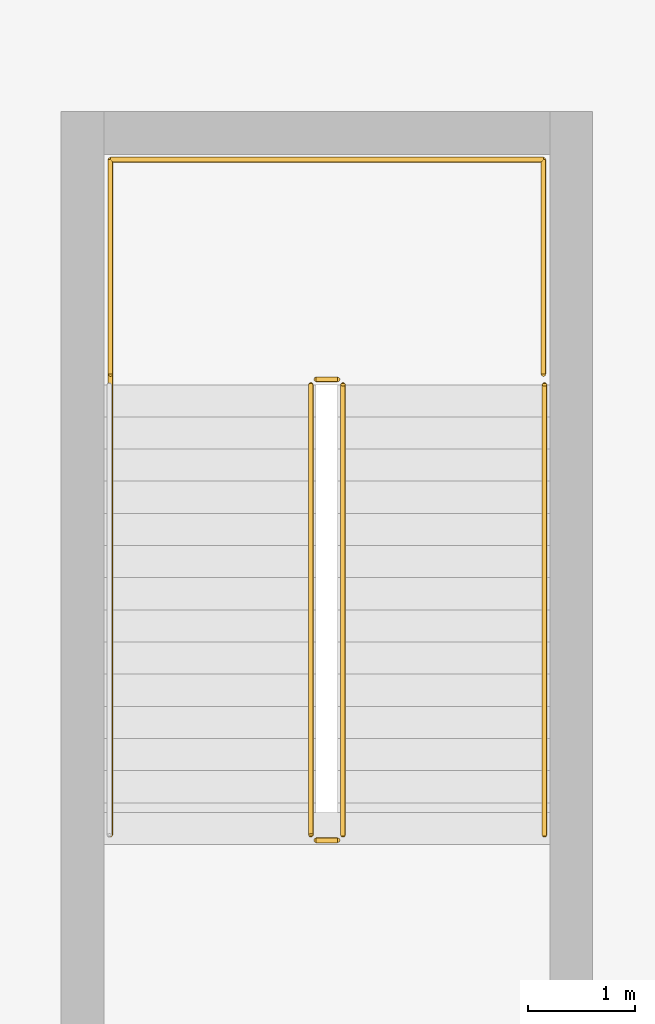
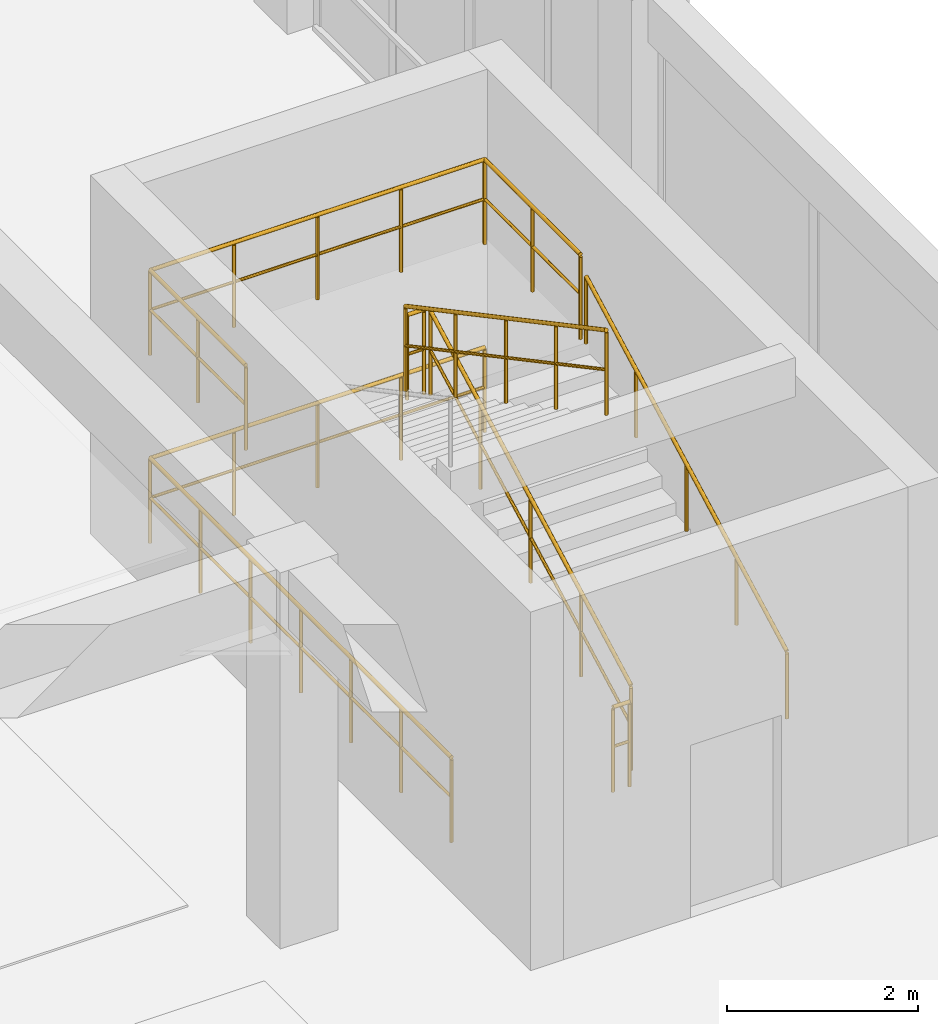
# One storey, part 47 of 51: 7 railings.
"""IFC4 building model written with IfcOpenShell, lengths in metres."""

from ifc_helpers import new_model, si_unit, direction, frame, origin, origin_2d, place, context, subcontext, project, spatial, circle, extrude, material, type_object, element, save


model = new_model("IFC4")

# Units and contexts
model_context = context("Model", 3, precision=1e-05, world=origin(), true_north=direction((0.0, 1.0)))
body_context = subcontext(model_context, "Body", "Model", "MODEL_VIEW")
ifc_project = project(units=[si_unit("LENGTHUNIT", "METRE"), si_unit("AREAUNIT", "SQUARE_METRE"), si_unit("VOLUMEUNIT", "CUBIC_METRE"), si_unit("PLANEANGLEUNIT", "RADIAN"), si_unit("MASSUNIT", "GRAM", prefix="KILO")], contexts=[model_context])

# Site, building, storey
site_placement = place(None, origin())
site = spatial("IfcSite", under=ifc_project, at=site_placement, CompositionType="ELEMENT")
building_placement = place(site_placement, origin())
building = spatial("IfcBuilding", under=site, at=building_placement, Name="Kenerak Square Central Library", CompositionType="ELEMENT")
storey_placement = place(building_placement, frame((0.0, 0.0, 9.60009765625)))
storey = spatial("IfcBuildingStorey", under=building, at=storey_placement, Name="L02", CompositionType="ELEMENT", Elevation=9.60009765625)

# Railings
ifc_material = material(Name="Steel S355", Category="steel")
railing_type_1 = type_object("IfcRailingType", Name="Safety Guardrail GR-1100 S355", PredefinedType="GUARDRAIL", material=ifc_material)
railing_1_placement = place(storey_placement, frame((113.14990234375, 60.449951171875, 0.159912109375)))
element("IfcRailing", 1, at=railing_1_placement, inside=storey, type_object=railing_type_1, Name="L02 ST-09 stair guard 1", PredefinedType="GUARDRAIL", context=body_context, shape_type="SweptSolid", body=[
    extrude(circle(Radius=0.02392578125, at=origin_2d()), frame((0.0, 0.0, 1.076171875), z_axis=(0.0, 0.882351521365, 0.470590897432), x_axis=(-1.0, 0.0, 0.0)), (0.0, 0.0, 1.0), 4.760009765625),
    extrude(circle(Radius=0.01806640625, at=origin_2d()), frame((0.0, 0.0, 0.572021484375), z_axis=(0.0, 0.882351521365, 0.470590897432), x_axis=(-1.0, 0.0, 0.0)), (0.0, 0.0, 1.0), 4.760009765625),
    extrude(circle(Radius=0.02099609375, at=origin_2d()), origin(), (0.0, 0.0, 1.0), 1.052001953125),
    extrude(circle(Radius=0.02099609375, at=origin_2d()), frame((0.0, 1.050048828125, 0.56005859375)), (0.0, 0.0, 1.0), 1.052001953125),
    extrude(circle(Radius=0.02099609375, at=origin_2d()), frame((0.0, 2.10009765625, 1.1201171875)), (0.0, 0.0, 1.0), 1.052001953125),
    extrude(circle(Radius=0.02099609375, at=origin_2d()), frame((0.0, 3.14990234375, 1.679931640625)), (0.0, 0.0, 1.0), 1.052001953125),
    extrude(circle(Radius=0.02099609375, at=origin_2d()), frame((0.0, 4.199951171875, 2.239990234375)), (0.0, 0.0, 1.0), 1.052001953125),
])
railing_2_placement = place(storey_placement, frame((113.10009765625, 64.699951171875, 2.39990234375)))
element("IfcRailing", 2, at=railing_2_placement, inside=storey, type_object=railing_type_1, Name="L02 ST-09 stair guard 2", PredefinedType="GUARDRAIL", context=body_context, shape_type="SweptSolid", body=[
    extrude(circle(Radius=0.02392578125, at=origin_2d()), frame((0.0, 0.0, 1.076171875), z_axis=(-1.0, 0.0, 0.0), x_axis=(0.0, -1.0, 0.0)), (0.0, 0.0, 1.0), 0.2001953125),
    extrude(circle(Radius=0.01806640625, at=origin_2d()), frame((0.0, 0.0, 0.572021484375), z_axis=(-1.0, 0.0, 0.0), x_axis=(0.0, -1.0, 0.0)), (0.0, 0.0, 1.0), 0.2001953125),
    extrude(circle(Radius=0.02099609375, at=origin_2d()), origin(), (0.0, 0.0, 1.0), 1.052001953125),
    extrude(circle(Radius=0.02099609375, at=origin_2d()), frame((-0.2001953125, 0.0, 0.0)), (0.0, 0.0, 1.0), 1.052001953125),
])
railing_3_placement = place(storey_placement, frame((112.85009765625, 64.64990234375, 2.559814453125)))
element("IfcRailing", 3, at=railing_3_placement, inside=storey, type_object=railing_type_1, Name="L02 ST-09 stair guard 3", PredefinedType="GUARDRAIL", context=body_context, shape_type="SweptSolid", body=[
    extrude(circle(Radius=0.02392578125, at=origin_2d()), frame((0.0, 0.0, 1.076171875), z_axis=(0.0, -0.882351521365, 0.470590897432), x_axis=(1.0, 0.0, 0.0)), (0.0, 0.0, 1.0), 4.760009765625),
    extrude(circle(Radius=0.01806640625, at=origin_2d()), frame((0.0, 0.0, 0.572021484375), z_axis=(0.0, -0.882351521365, 0.470590897432), x_axis=(1.0, 0.0, 0.0)), (0.0, 0.0, 1.0), 4.760009765625),
    extrude(circle(Radius=0.02099609375, at=origin_2d()), origin(), (0.0, 0.0, 1.0), 1.052001953125),
    extrude(circle(Radius=0.02099609375, at=origin_2d()), frame((0.0, -1.050048828125, 0.56005859375)), (0.0, 0.0, 1.0), 1.052001953125),
    extrude(circle(Radius=0.02099609375, at=origin_2d()), frame((0.0, -2.10009765625, 1.1201171875)), (0.0, 0.0, 1.0), 1.052001953125),
    extrude(circle(Radius=0.02099609375, at=origin_2d()), frame((0.0, -3.14990234375, 1.679931640625)), (0.0, 0.0, 1.0), 1.052001953125),
    extrude(circle(Radius=0.02099609375, at=origin_2d()), frame((0.0, -4.199951171875, 2.239990234375)), (0.0, 0.0, 1.0), 1.052001953125),
])
railing_4_placement = place(storey_placement, frame((113.10009765625, 60.39990234375, 0.0)))
element("IfcRailing", 4, at=railing_4_placement, inside=storey, type_object=railing_type_1, Name="L02 ST-09 stair guard 4", PredefinedType="GUARDRAIL", context=body_context, shape_type="SweptSolid", body=[
    extrude(circle(Radius=0.02392578125, at=origin_2d()), frame((0.0, 0.0, 1.076171875), z_axis=(-1.0, 0.0, 0.0), x_axis=(0.0, -1.0, 0.0)), (0.0, 0.0, 1.0), 0.2001953125),
    extrude(circle(Radius=0.01806640625, at=origin_2d()), frame((0.0, 0.0, 0.572021484375), z_axis=(-1.0, 0.0, 0.0), x_axis=(0.0, -1.0, 0.0)), (0.0, 0.0, 1.0), 0.2001953125),
    extrude(circle(Radius=0.02099609375, at=origin_2d()), origin(), (0.0, 0.0, 1.0), 1.052001953125),
    extrude(circle(Radius=0.02099609375, at=origin_2d()), frame((-0.2001953125, 0.0, 0.0)), (0.0, 0.0, 1.0), 1.052001953125),
])
railing_5_placement = place(storey_placement, frame((110.97998046875, 64.75, 2.39990234375)))
element("IfcRailing", 5, at=railing_5_placement, inside=storey, type_object=railing_type_1, Name="Stair Half-Landing Guard ST-09 L02", PredefinedType="GUARDRAIL", context=body_context, shape_type="SweptSolid", body=[
    extrude(circle(Radius=0.02392578125, at=origin_2d()), frame((0.0, 0.0, 1.076171875), z_axis=(0.0, 1.0, 0.0), x_axis=(-1.0, 0.0, 0.0)), (0.0, 0.0, 1.0), 2.0),
    extrude(circle(Radius=0.01806640625, at=origin_2d()), frame((0.0, 0.0, 0.572021484375), z_axis=(0.0, 1.0, 0.0), x_axis=(-1.0, 0.0, 0.0)), (0.0, 0.0, 1.0), 2.0),
    extrude(circle(Radius=0.02392578125, at=origin_2d()), frame((0.0, 2.0, 1.076171875), z_axis=(1.0, 0.0, 0.0), x_axis=(0.0, 1.0, 0.0)), (0.0, 0.0, 1.0), 4.0400390625),
    extrude(circle(Radius=0.01806640625, at=origin_2d()), frame((0.0, 2.0, 0.572021484375), z_axis=(1.0, 0.0, 0.0), x_axis=(0.0, 1.0, 0.0)), (0.0, 0.0, 1.0), 4.0400390625),
    extrude(circle(Radius=0.02392578125, at=origin_2d()), frame((4.0400390625, 2.0, 1.076171875), z_axis=(0.0, -1.0, 0.0), x_axis=(1.0, 0.0, 0.0)), (0.0, 0.0, 1.0), 2.0),
    extrude(circle(Radius=0.01806640625, at=origin_2d()), frame((4.0400390625, 2.0, 0.572021484375), z_axis=(0.0, -1.0, 0.0), x_axis=(1.0, 0.0, 0.0)), (0.0, 0.0, 1.0), 2.0),
    extrude(circle(Radius=0.02099609375, at=origin_2d()), origin(), (0.0, 0.0, 1.0), 1.052001953125),
    extrude(circle(Radius=0.02099609375, at=origin_2d()), frame((0.0, 1.0, 0.0)), (0.0, 0.0, 1.0), 1.052001953125),
    extrude(circle(Radius=0.02099609375, at=origin_2d()), frame((0.0, 2.0, 0.0)), (0.0, 0.0, 1.0), 1.052001953125),
    extrude(circle(Radius=0.02099609375, at=origin_2d()), frame((1.010009765625, 2.0, 0.0)), (0.0, 0.0, 1.0), 1.052001953125),
    extrude(circle(Radius=0.02099609375, at=origin_2d()), frame((2.02001953125, 2.0, 0.0)), (0.0, 0.0, 1.0), 1.052001953125),
    extrude(circle(Radius=0.02099609375, at=origin_2d()), frame((3.030029296875, 2.0, 0.0)), (0.0, 0.0, 1.0), 1.052001953125),
    extrude(circle(Radius=0.02099609375, at=origin_2d()), frame((4.0400390625, 2.0, 0.0)), (0.0, 0.0, 1.0), 1.052001953125),
    extrude(circle(Radius=0.02099609375, at=origin_2d()), frame((4.0400390625, 1.0, 0.0)), (0.0, 0.0, 1.0), 1.052001953125),
    extrude(circle(Radius=0.02099609375, at=origin_2d()), frame((4.0400390625, 0.0, 0.0)), (0.0, 0.0, 1.0), 1.052001953125),
])
railing_6_placement = place(storey_placement, frame((110.97998046875, 60.449951171875, 0.0)))
element("IfcRailing", 6, at=railing_6_placement, inside=storey, type_object=railing_type_1, Name="Stair Well Floor Guard ST-09 L02", PredefinedType="GUARDRAIL", context=body_context, shape_type="SweptSolid", body=[
    extrude(circle(Radius=0.02392578125, at=origin_2d()), frame((0.0, 0.0, 1.076171875), z_axis=(0.0, 1.0, 0.0), x_axis=(-1.0, 0.0, 0.0)), (0.0, 0.0, 1.0), 6.300048828125),
    extrude(circle(Radius=0.01806640625, at=origin_2d()), frame((0.0, 0.0, 0.572021484375), z_axis=(0.0, 1.0, 0.0), x_axis=(-1.0, 0.0, 0.0)), (0.0, 0.0, 1.0), 6.300048828125),
    extrude(circle(Radius=0.02392578125, at=origin_2d()), frame((0.0, 6.300048828125, 1.076171875), z_axis=(1.0, 0.0, 0.0), x_axis=(0.0, 1.0, 0.0)), (0.0, 0.0, 1.0), 4.0400390625),
    extrude(circle(Radius=0.01806640625, at=origin_2d()), frame((0.0, 6.300048828125, 0.572021484375), z_axis=(1.0, 0.0, 0.0), x_axis=(0.0, 1.0, 0.0)), (0.0, 0.0, 1.0), 4.0400390625),
    extrude(circle(Radius=0.02099609375, at=origin_2d()), origin(), (0.0, 0.0, 1.0), 1.052001953125),
    extrude(circle(Radius=0.02099609375, at=origin_2d()), frame((0.0, 1.050048828125, 0.0)), (0.0, 0.0, 1.0), 1.052001953125),
    extrude(circle(Radius=0.02099609375, at=origin_2d()), frame((0.0, 2.10009765625, 0.0)), (0.0, 0.0, 1.0), 1.052001953125),
    extrude(circle(Radius=0.02099609375, at=origin_2d()), frame((0.0, 3.14990234375, 0.0)), (0.0, 0.0, 1.0), 1.052001953125),
    extrude(circle(Radius=0.02099609375, at=origin_2d()), frame((0.0, 4.199951171875, 0.0)), (0.0, 0.0, 1.0), 1.052001953125),
    extrude(circle(Radius=0.02099609375, at=origin_2d()), frame((0.0, 5.25, 0.0)), (0.0, 0.0, 1.0), 1.052001953125),
    extrude(circle(Radius=0.02099609375, at=origin_2d()), frame((0.0, 6.300048828125, 0.0)), (0.0, 0.0, 1.0), 1.052001953125),
    extrude(circle(Radius=0.02099609375, at=origin_2d()), frame((1.010009765625, 6.300048828125, 0.0)), (0.0, 0.0, 1.0), 1.052001953125),
    extrude(circle(Radius=0.02099609375, at=origin_2d()), frame((2.02001953125, 6.300048828125, 0.0)), (0.0, 0.0, 1.0), 1.052001953125),
    extrude(circle(Radius=0.02099609375, at=origin_2d()), frame((3.030029296875, 6.300048828125, 0.0)), (0.0, 0.0, 1.0), 1.052001953125),
    extrude(circle(Radius=0.02099609375, at=origin_2d()), frame((4.0400390625, 6.300048828125, 0.0)), (0.0, 0.0, 1.0), 1.052001953125),
])
railing_type_2 = type_object("IfcRailingType", Name="Stair Handrail HR-880 S355", PredefinedType="HANDRAIL", material=ifc_material)
railing_7_placement = place(storey_placement, frame((115.030029296875, 60.449951171875, 0.159912109375)))
element("IfcRailing", 7, at=railing_7_placement, inside=storey, type_object=railing_type_2, Name="L02 ST-09 stair handrail 1", PredefinedType="HANDRAIL", context=body_context, shape_type="SweptSolid", body=[
    extrude(circle(Radius=0.02392578125, at=origin_2d()), frame((0.0, 0.0, 0.85595703125), z_axis=(0.0, 0.882351521365, 0.470590897432), x_axis=(-1.0, 0.0, 0.0)), (0.0, 0.0, 1.0), 4.760009765625),
    extrude(circle(Radius=0.02099609375, at=origin_2d()), origin(), (0.0, 0.0, 1.0), 0.831787109375),
    extrude(circle(Radius=0.02099609375, at=origin_2d()), frame((0.0, 1.050048828125, 0.56005859375)), (0.0, 0.0, 1.0), 0.831787109375),
    extrude(circle(Radius=0.02099609375, at=origin_2d()), frame((0.0, 2.10009765625, 1.1201171875)), (0.0, 0.0, 1.0), 0.831787109375),
    extrude(circle(Radius=0.02099609375, at=origin_2d()), frame((0.0, 3.14990234375, 1.679931640625)), (0.0, 0.0, 1.0), 0.831787109375),
    extrude(circle(Radius=0.02099609375, at=origin_2d()), frame((0.0, 4.199951171875, 2.239990234375)), (0.0, 0.0, 1.0), 0.831787109375),
])

save(model, "model.ifc")
